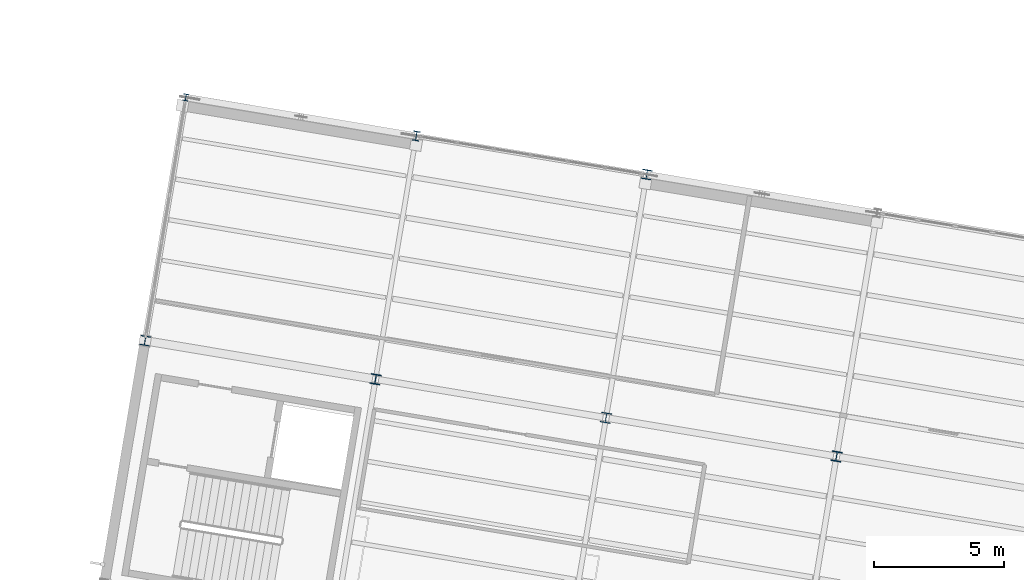
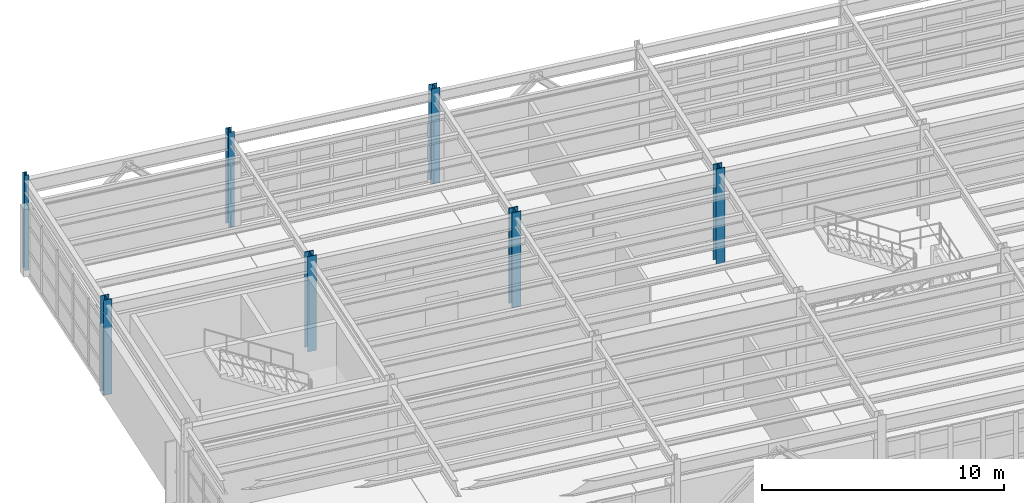
# One storey, part 12 of 109: 7 columns.
"""IFC4 building model written with IfcOpenShell, lengths in metres."""

from ifc_helpers import new_model, si_unit, direction, frame, origin, origin_2d, place, context, subcontext, project, spatial, i_section, extrude, material, material_profile, profile_set, type_object, element, save


model = new_model("IFC4")

# Units and contexts
model_context = context("Model", 3, precision=1e-05, world=origin(), true_north=direction((0.0, 1.0)))
body_context = subcontext(model_context, "Body", "Model", "MODEL_VIEW")
ifc_project = project(units=[si_unit("LENGTHUNIT", "METRE"), si_unit("AREAUNIT", "SQUARE_METRE"), si_unit("VOLUMEUNIT", "CUBIC_METRE"), si_unit("PLANEANGLEUNIT", "RADIAN"), si_unit("MASSUNIT", "GRAM", prefix="KILO")], contexts=[model_context])

# Site, building, storey
site_placement = place(None, origin())
site = spatial("IfcSite", under=ifc_project, at=site_placement, CompositionType="ELEMENT")
building_placement = place(site_placement, origin())
building = spatial("IfcBuilding", under=site, at=building_placement, Name="Vireo Bluff Cable Station", CompositionType="ELEMENT")
storey_placement = place(building_placement, frame((0.0, 0.0, 4.800048828125)))
storey = spatial("IfcBuildingStorey", under=building, at=storey_placement, Name="L01", CompositionType="ELEMENT", Elevation=4.800048828125)

# Columns
ifc_material = material(Name="Steel ASTM A992 Gr. 50", Category="steel")
ifc_material_profile_1 = material_profile(ifc_material, i_section(OverallWidth=0.39892578125, OverallDepth=0.385986328125, WebThickness=0.02099609375, FlangeThickness=0.033203125, FilletRadius=0.014892578125, at=origin_2d()), Name="W14X176")
ifc_profile_set_1 = profile_set([ifc_material_profile_1], Name="Steel ASTM A992 Gr. 50")
column_type_1 = type_object("IfcColumnType", Name="COL-W14X176", PredefinedType="COLUMN", material=ifc_profile_set_1)
for number, where, z_axis, x_axis, name in (
    (1, (17.512451171875, 88.75390625, 0.0), (0.0, 0.0, 1.0), (0.986285601537, -0.165047605861, 0.0), "V4 L01 column 269"),
    (2, (35.265625, 85.783203125, 0.0), (0.0, 0.0, 1.0), (0.986285601537, -0.165047605861, 0.0), "V4 L01 column 299"),
):
    element("IfcColumn", number, at=place(storey_placement, frame(where, z_axis=z_axis, x_axis=x_axis)), inside=storey, type_object=column_type_1, Name=name, PredefinedType="COLUMN", context=body_context, shape_type="SweptSolid", body=[
        extrude(i_section(OverallWidth=0.39892578125, OverallDepth=0.385986328125, WebThickness=0.02099609375, FlangeThickness=0.033203125, FilletRadius=0.014892578125, at=origin_2d()), origin(), (0.0, 0.0, 1.0), 4.800048828125),
    ])
ifc_material_profile_2 = material_profile(ifc_material, i_section(OverallWidth=0.40087890625, OverallDepth=0.39404296875, WebThickness=0.022705078125, FlangeThickness=0.03662109375, FilletRadius=0.014892578125, at=origin_2d()), Name="W14X193")
ifc_profile_set_2 = profile_set([ifc_material_profile_2], Name="Steel ASTM A992 Gr. 50")
column_type_2 = type_object("IfcColumnType", Name="COL-W14X193", PredefinedType="COLUMN", material=ifc_profile_set_2)
column_1_placement = place(storey_placement, frame((26.38916015625, 87.2685546875, 0.0), z_axis=(0.0, 0.0, 1.0), x_axis=(0.986285601537, -0.165047605861, 0.0)))
element("IfcColumn", 3, at=column_1_placement, inside=storey, type_object=column_type_2, Name="V4 L01 column 284", PredefinedType="COLUMN", context=body_context, shape_type="SweptSolid", body=[
    extrude(i_section(OverallWidth=0.40087890625, OverallDepth=0.39404296875, WebThickness=0.022705078125, FlangeThickness=0.03662109375, FilletRadius=0.014892578125, at=origin_2d()), origin(), (0.0, 0.0, 1.0), 4.800048828125),
])
ifc_material_profile_3 = material_profile(ifc_material, i_section(OverallWidth=0.257080078125, OverallDepth=0.363037109375, WebThickness=0.012939453125, FlangeThickness=0.021728515625, FilletRadius=0.014892578125, at=origin_2d()), Name="W14X82")
ifc_profile_set_3 = profile_set([ifc_material_profile_3], Name="Steel ASTM A992 Gr. 50")
column_type_3 = type_object("IfcColumnType", Name="ECOL-W14X82", PredefinedType="COLUMN", material=ifc_profile_set_3)
column_2_placement = place(storey_placement, frame((19.080322265625, 98.123779296875, 0.0), z_axis=(0.0, 0.0, 1.0), x_axis=(0.986285601537, -0.165047605861, 0.0)))
element("IfcColumn", 4, at=column_2_placement, inside=storey, type_object=column_type_3, Name="V4 L01 column 273", PredefinedType="COLUMN", context=body_context, shape_type="SweptSolid", body=[
    extrude(i_section(OverallWidth=0.257080078125, OverallDepth=0.363037109375, WebThickness=0.012939453125, FlangeThickness=0.021728515625, FilletRadius=0.014892578125, at=origin_2d()), origin(), (0.0, 0.0, 1.0), 4.800048828125),
])
ifc_material_profile_4 = material_profile(ifc_material, i_section(OverallWidth=0.3701171875, OverallDepth=0.360107421875, WebThickness=0.01220703125, FlangeThickness=0.019775390625, FilletRadius=0.014892578125, at=origin_2d()), Name="W14X99")
ifc_profile_set_4 = profile_set([ifc_material_profile_4], Name="Steel ASTM A992 Gr. 50")
column_type_4 = type_object("IfcColumnType", Name="ECOL-W14X99", PredefinedType="COLUMN", material=ifc_profile_set_4)
for number, where, z_axis, x_axis, name in (
    (5, (8.635986328125, 90.239501953125, 0.0), (0.0, 0.0, 1.0), (0.986285601537, -0.165047605861, 0.0), "V4 L01 column 254"),
    (6, (27.95703125, 96.63818359375, 0.0), (0.0, 0.0, 1.0), (0.986285601537, -0.165047605861, 0.0), "V4 L01 column 288"),
):
    element("IfcColumn", number, at=place(storey_placement, frame(where, z_axis=z_axis, x_axis=x_axis)), inside=storey, type_object=column_type_4, Name=name, PredefinedType="COLUMN", context=body_context, shape_type="SweptSolid", body=[
        extrude(i_section(OverallWidth=0.3701171875, OverallDepth=0.360107421875, WebThickness=0.01220703125, FlangeThickness=0.019775390625, FilletRadius=0.014892578125, at=origin_2d()), origin(), (0.0, 0.0, 1.0), 4.800048828125),
    ])
ifc_material_profile_5 = material_profile(ifc_material, i_section(OverallWidth=0.2041015625, OverallDepth=0.257080078125, WebThickness=0.0087890625, FlangeThickness=0.015625, FilletRadius=0.009033203125, at=origin_2d()), Name="W10X45")
ifc_profile_set_5 = profile_set([ifc_material_profile_5], Name="Steel ASTM A992 Gr. 50")
column_type_5 = type_object("IfcColumnType", Name="PIL-W10X45", PredefinedType="PILASTER", material=ifc_profile_set_5)
column_3_placement = place(storey_placement, frame((10.203857421875, 99.609130859375, 0.0), z_axis=(0.0, 0.0, 1.0), x_axis=(0.986285601537, -0.165047605861, 0.0)))
element("IfcColumn", 7, at=column_3_placement, inside=storey, type_object=column_type_5, Name="V4 L01 column 258", PredefinedType="PILASTER", context=body_context, shape_type="SweptSolid", body=[
    extrude(i_section(OverallWidth=0.2041015625, OverallDepth=0.257080078125, WebThickness=0.0087890625, FlangeThickness=0.015625, FilletRadius=0.009033203125, at=origin_2d()), origin(), (0.0, 0.0, 1.0), 4.800048828125),
])

save(model, "model.ifc")
